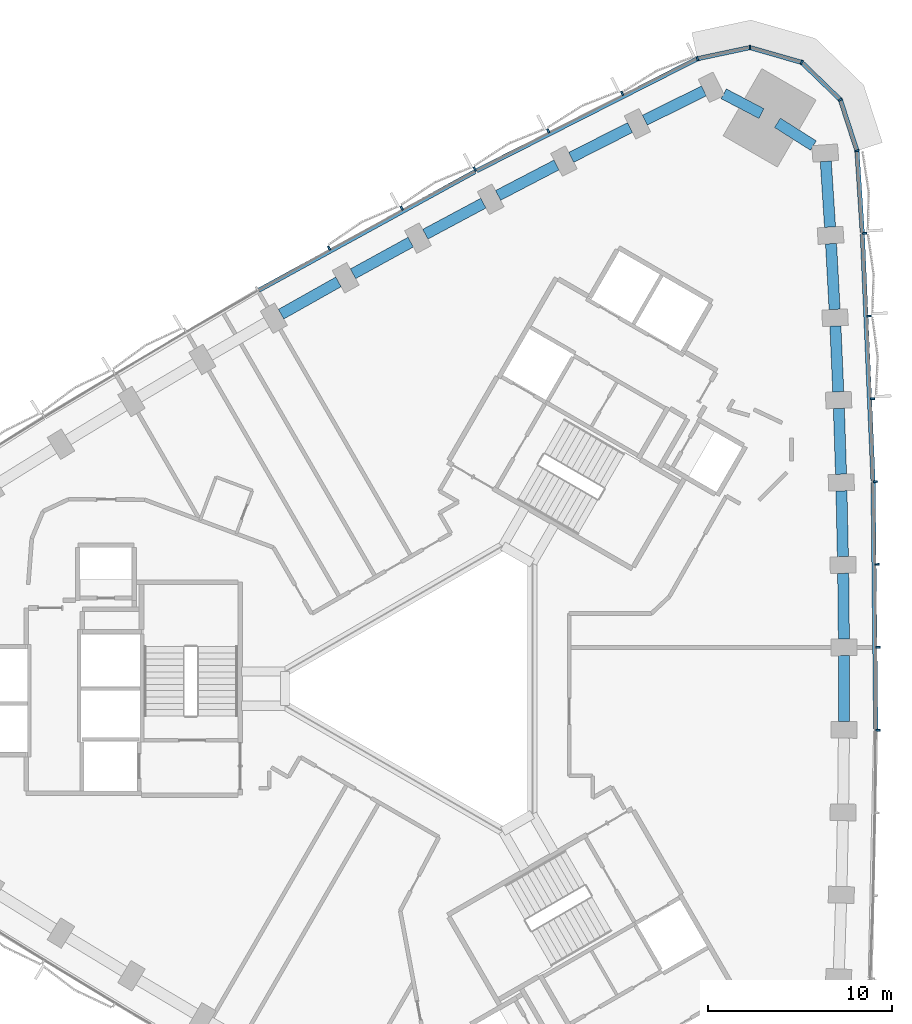
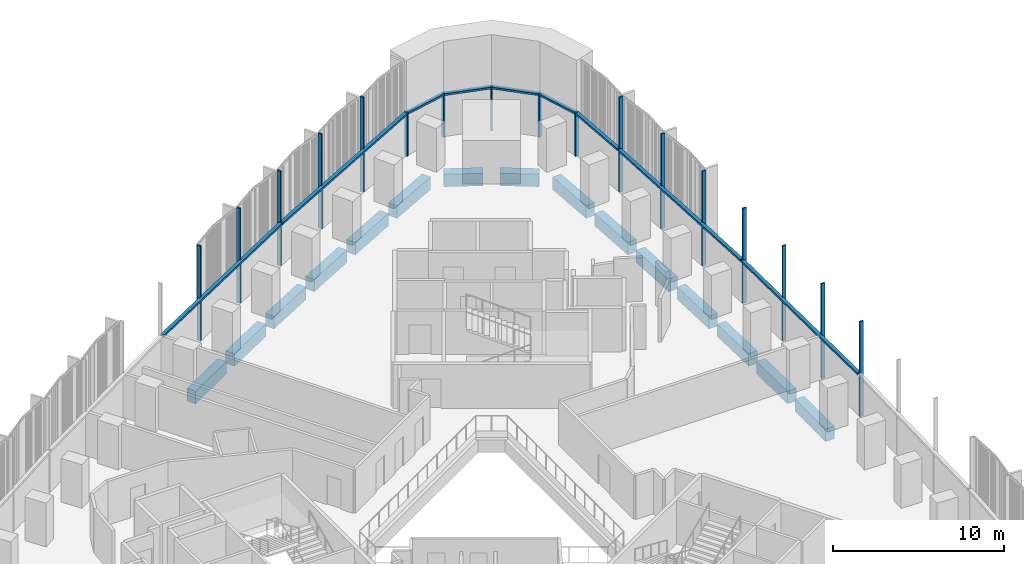
# One storey, part 5 of 15: 26 members, 15 beams, 2 elements without a shape of their own.
"""IFC4 building model written with IfcOpenShell, lengths in metres."""

from ifc_helpers import new_model, si_unit, direction, frame, origin, origin_2d, place, context, subcontext, project, spatial, rectangle, extrude, material, material_profile, profile_set, type_object, element, aggregate, save


model = new_model("IFC4")

# Units and contexts
model_context = context("Model", 3, precision=1e-05, world=origin(), true_north=direction((0.0, 1.0)))
body_context = subcontext(model_context, "Body", "Model", "MODEL_VIEW")
ifc_project = project(units=[si_unit("LENGTHUNIT", "METRE"), si_unit("AREAUNIT", "SQUARE_METRE"), si_unit("VOLUMEUNIT", "CUBIC_METRE"), si_unit("PLANEANGLEUNIT", "RADIAN"), si_unit("MASSUNIT", "GRAM", prefix="KILO")], contexts=[model_context])

# Site, building, storey
site_placement = place(None, origin())
site = spatial("IfcSite", under=ifc_project, at=site_placement, CompositionType="ELEMENT")
building_placement = place(site_placement, origin())
building = spatial("IfcBuilding", under=site, at=building_placement, Name="Tamra Quay Hotel Tower", CompositionType="ELEMENT")
storey_placement = place(building_placement, frame((0.0, 0.0, 67.39990234375)))
storey = spatial("IfcBuildingStorey", under=building, at=storey_placement, Name="L15", CompositionType="ELEMENT", Elevation=67.39990234375)

# Curtain wall, members
ifc_material_1 = material(Name="Aluminium 6063 anodised dark grey", Category="aluminium")
curtain_wall_type_1 = type_object("IfcCurtainWallType", Name="CW1 CURTAIN WALL", PredefinedType="NOTDEFINED", material=ifc_material_1)
curtain_wall_1_placement = place(storey_placement, origin())
curtain_wall_1 = element("IfcCurtainWall", 1, at=curtain_wall_1_placement, inside=storey, type_object=curtain_wall_type_1, Name="CW1 east face L15", PredefinedType="NOTDEFINED")
ifc_material_profile_1 = material_profile(ifc_material_1, rectangle(XDim=0.239990234375, YDim=0.10009765625, at=origin_2d()), Name="MULLION 100X240")
ifc_profile_set_1 = profile_set([ifc_material_profile_1], Name="Aluminium 6063 anodised dark grey")
member_type_1 = type_object("IfcMemberType", Name="MULLION CW1 Z1", PredefinedType="MULLION", material=ifc_profile_set_1)
member_1_placement = place(storey_placement, frame((23.73828125, -2.2451171875, 0.0), z_axis=(0.0, 0.0, 1.0), x_axis=(0.99998532114, -0.005418256626, 0.0)))
member_1 = element("IfcMember", 2, at=member_1_placement, type_object=member_type_1, Name="CW1 mullion L15.E.7", PredefinedType="MULLION", context=body_context, shape_type="SweptSolid", body=[
    extrude(rectangle(XDim=0.239990234375, YDim=0.10009765625, at=origin_2d()), origin(), (0.0, 0.0, 1.0), 6.800048828125),
])
member_2_placement = place(storey_placement, frame((23.73828125, 2.2451171875, 0.0), z_axis=(0.0, 0.0, 1.0), x_axis=(0.99998532114, 0.005418256626, 0.0)))
member_2 = element("IfcMember", 3, at=member_2_placement, type_object=member_type_1, Name="CW1 mullion L15.E.8", PredefinedType="MULLION", context=body_context, shape_type="SweptSolid", body=[
    extrude(rectangle(XDim=0.239990234375, YDim=0.10009765625, at=origin_2d()), origin(), (0.0, 0.0, 1.0), 6.800048828125),
])
member_3_placement = place(storey_placement, frame((23.689697265625, 6.73486328125, 0.0), z_axis=(0.0, 0.0, 1.0), x_axis=(0.999868004854, 0.016247241904, 0.0)))
member_3 = element("IfcMember", 4, at=member_3_placement, type_object=member_type_1, Name="CW1 mullion L15.E.9", PredefinedType="MULLION", context=body_context, shape_type="SweptSolid", body=[
    extrude(rectangle(XDim=0.239990234375, YDim=0.10009765625, at=origin_2d()), origin(), (0.0, 0.0, 1.0), 6.800048828125),
])
member_4_placement = place(storey_placement, frame((23.59228515625, 11.224609375, 0.0), z_axis=(0.0, 0.0, 1.0), x_axis=(0.999633633589, 0.027066558645, 0.0)))
member_4 = element("IfcMember", 5, at=member_4_placement, type_object=member_type_1, Name="CW1 mullion L15.E.10", PredefinedType="MULLION", context=body_context, shape_type="SweptSolid", body=[
    extrude(rectangle(XDim=0.239990234375, YDim=0.10009765625, at=origin_2d()), origin(), (0.0, 0.0, 1.0), 6.800048828125),
])
member_5_placement = place(storey_placement, frame((23.446533203125, 15.71240234375, 0.0), z_axis=(0.0, 0.0, 1.0), x_axis=(0.999282264248, 0.037880817816, 0.0)))
member_5 = element("IfcMember", 6, at=member_5_placement, type_object=member_type_1, Name="CW1 mullion L15.E.11", PredefinedType="MULLION", context=body_context, shape_type="SweptSolid", body=[
    extrude(rectangle(XDim=0.239990234375, YDim=0.10009765625, at=origin_2d()), origin(), (0.0, 0.0, 1.0), 6.800048828125),
])
member_6_placement = place(storey_placement, frame((23.252197265625, 20.1982421875, 0.0), z_axis=(0.0, 0.0, 1.0), x_axis=(0.998814683341, 0.048674719753, 0.0)))
member_6 = element("IfcMember", 7, at=member_6_placement, type_object=member_type_1, Name="CW1 mullion L15.E.12", PredefinedType="MULLION", context=body_context, shape_type="SweptSolid", body=[
    extrude(rectangle(XDim=0.239990234375, YDim=0.10009765625, at=origin_2d()), origin(), (0.0, 0.0, 1.0), 6.800048828125),
])
member_7_placement = place(storey_placement, frame((23.009521484375, 24.682373046875, 0.0), z_axis=(0.0, 0.0, 1.0), x_axis=(0.998231966976, 0.05943854058, 0.0)))
member_7 = element("IfcMember", 8, at=member_7_placement, type_object=member_type_1, Name="CW1 mullion L15.E.13", PredefinedType="MULLION", context=body_context, shape_type="SweptSolid", body=[
    extrude(rectangle(XDim=0.239990234375, YDim=0.10009765625, at=origin_2d()), origin(), (0.0, 0.0, 1.0), 6.800048828125),
])
member_8_placement = place(storey_placement, frame((22.5986328125, 29.154052734375, 0.0), z_axis=(0.0, 0.0, 1.0), x_axis=(0.982094520957, 0.188388831692, 0.0)))
member_8 = element("IfcMember", 9, at=member_8_placement, type_object=member_type_1, Name="CW1 mullion L15.E.14", PredefinedType="MULLION", context=body_context, shape_type="SweptSolid", body=[
    extrude(rectangle(XDim=0.239990234375, YDim=0.10009765625, at=origin_2d()), origin(), (0.0, 0.0, 1.0), 3.125),
])
member_9_placement = place(storey_placement, frame((21.697998046875, 31.926025390625, 0.0), z_axis=(0.0, 0.0, 1.0), x_axis=(0.848039345356, 0.529933268183, 0.0)))
member_9 = element("IfcMember", 10, at=member_9_placement, type_object=member_type_1, Name="CW1 mullion L15.E.15", PredefinedType="MULLION", context=body_context, shape_type="SweptSolid", body=[
    extrude(rectangle(XDim=0.239990234375, YDim=0.10009765625, at=origin_2d()), origin(), (0.0, 0.0, 1.0), 3.125),
])
member_10_placement = place(storey_placement, frame((19.6015625, 33.95068359375, 0.0), z_axis=(0.0, 0.0, 1.0), x_axis=(0.5, 0.866025403784, 0.0)))
member_10 = element("IfcMember", 11, at=member_10_placement, type_object=member_type_1, Name="CW1 mullion L15.E.16", PredefinedType="MULLION", context=body_context, shape_type="SweptSolid", body=[
    extrude(rectangle(XDim=0.239990234375, YDim=0.10009765625, at=origin_2d()), origin(), (0.0, 0.0, 1.0), 3.125),
])
member_11_placement = place(storey_placement, frame((16.7998046875, 34.754150390625, 0.0), z_axis=(0.0, 0.0, 1.0), x_axis=(0.034915999879, 0.999390250579, 0.0)))
member_11 = element("IfcMember", 12, at=member_11_placement, type_object=member_type_1, Name="CW1 mullion L15.E.17", PredefinedType="MULLION", context=body_context, shape_type="SweptSolid", body=[
    extrude(rectangle(XDim=0.239990234375, YDim=0.10009765625, at=origin_2d()), origin(), (0.0, 0.0, 1.0), 3.125),
])

curtain_wall_type_2 = type_object("IfcCurtainWallType", Name="CW2 CURTAIN WALL", PredefinedType="NOTDEFINED", material=ifc_material_1)
curtain_wall_2_placement = place(storey_placement, origin())
curtain_wall_2 = element("IfcCurtainWall", 13, at=curtain_wall_2_placement, inside=storey, type_object=curtain_wall_type_2, Name="CW2 north-west face L15", PredefinedType="NOTDEFINED")
ifc_material_profile_2 = material_profile(ifc_material_1, rectangle(XDim=0.239990234375, YDim=0.10009765625, at=origin_2d()), Name="MULLION 100X240")
ifc_profile_set_2 = profile_set([ifc_material_profile_2], Name="Aluminium 6063 anodised dark grey")
member_type_2 = type_object("IfcMemberType", Name="MULLION CW2 Z1", PredefinedType="MULLION", material=ifc_profile_set_2)
member_12_placement = place(storey_placement, frame((13.948974609375, 34.148193359375, 0.0), z_axis=(0.0, 0.0, 1.0), x_axis=(-0.327897746444, 0.944713219912, 0.0)))
member_12 = element("IfcMember", 14, at=member_12_placement, type_object=member_type_2, Name="CW2 mullion L15.NW.1", PredefinedType="MULLION", context=body_context, shape_type="SweptSolid", body=[
    extrude(rectangle(XDim=0.239990234375, YDim=0.10009765625, at=origin_2d()), origin(), (0.0, 0.0, 1.0), 3.125),
])
member_13_placement = place(storey_placement, frame((9.870849609375, 32.26806640625, 0.0), z_axis=(0.0, 0.0, 1.0), x_axis=(-0.447640697382, 0.894213512561, 0.0)))
member_13 = element("IfcMember", 15, at=member_13_placement, type_object=member_type_2, Name="CW2 mullion L15.NW.2", PredefinedType="MULLION", context=body_context, shape_type="SweptSolid", body=[
    extrude(rectangle(XDim=0.239990234375, YDim=0.10009765625, at=origin_2d()), origin(), (0.0, 0.0, 1.0), 6.800048828125),
])
member_14_placement = place(storey_placement, frame((5.865966796875, 30.236083984375, 0.0), z_axis=(0.0, 0.0, 1.0), x_axis=(-0.457253797843, 0.889336249322, 0.0)))
member_14 = element("IfcMember", 16, at=member_14_placement, type_object=member_type_2, Name="CW2 mullion L15.NW.3", PredefinedType="MULLION", context=body_context, shape_type="SweptSolid", body=[
    extrude(rectangle(XDim=0.239990234375, YDim=0.10009765625, at=origin_2d()), origin(), (0.0, 0.0, 1.0), 6.800048828125),
])
member_15_placement = place(storey_placement, frame((1.884033203125, 28.16162109375, 0.0), z_axis=(0.0, 0.0, 1.0), x_axis=(-0.46683538158, 0.884344235298, 0.0)))
member_15 = element("IfcMember", 17, at=member_15_placement, type_object=member_type_2, Name="CW2 mullion L15.NW.4", PredefinedType="MULLION", context=body_context, shape_type="SweptSolid", body=[
    extrude(rectangle(XDim=0.239990234375, YDim=0.10009765625, at=origin_2d()), origin(), (0.0, 0.0, 1.0), 6.800048828125),
])
member_16_placement = place(storey_placement, frame((-2.075439453125, 26.0439453125, 0.0), z_axis=(0.0, 0.0, 1.0), x_axis=(-0.476376489415, 0.879241400488, 0.0)))
member_16 = element("IfcMember", 18, at=member_16_placement, type_object=member_type_2, Name="CW2 mullion L15.NW.5", PredefinedType="MULLION", context=body_context, shape_type="SweptSolid", body=[
    extrude(rectangle(XDim=0.239990234375, YDim=0.10009765625, at=origin_2d()), origin(), (0.0, 0.0, 1.0), 6.800048828125),
])
member_17_placement = place(storey_placement, frame((-6.01220703125, 23.88330078125, 0.0), z_axis=(0.0, 0.0, 1.0), x_axis=(-0.485863478197, 0.874034713587, 0.0)))
member_17 = element("IfcMember", 19, at=member_17_placement, type_object=member_type_2, Name="CW2 mullion L15.NW.6", PredefinedType="MULLION", context=body_context, shape_type="SweptSolid", body=[
    extrude(rectangle(XDim=0.239990234375, YDim=0.10009765625, at=origin_2d()), origin(), (0.0, 0.0, 1.0), 6.800048828125),
])

# Beams
ifc_material_2 = material(Name="Concrete M60", Category="concrete")
ifc_material_profile_3 = material_profile(ifc_material_2, rectangle(XDim=0.60009765625, YDim=0.89990234375, at=origin_2d()), Name="SPANDREL BEAM RC 600x900")
ifc_profile_set_3 = profile_set([ifc_material_profile_3], Name="Concrete M60")
beam_type = type_object("IfcBeamType", Name="SPANDREL BEAM RC 600x900", PredefinedType="SPANDREL", material=ifc_profile_set_3)
beam_1_placement = place(storey_placement, frame((21.894287109375, -1.785400390625, -0.9248046875), z_axis=(0.0, 1.0, 0.0), x_axis=(-1.0, 0.0, 0.0)))
element("IfcBeam", 20, at=beam_1_placement, inside=storey, type_object=beam_type, Name="BM-SP1-006-L15", PredefinedType="SPANDREL", context=body_context, shape_type="SweptSolid", body=[
    extrude(rectangle(XDim=0.60009765625, YDim=0.89990234375, at=origin_2d()), origin(), (0.0, 0.0, 1.0), 3.57080078125),
])
beam_2_placement = place(storey_placement, frame((21.889404296875, 2.685302734375, -0.9248046875), z_axis=(-0.010803527021, 0.999941640199, 0.0), x_axis=(-0.999941640199, -0.010803527021, 0.0)))
element("IfcBeam", 21, at=beam_2_placement, inside=storey, type_object=beam_type, Name="BM-SP1-007-L15", PredefinedType="SPANDREL", context=body_context, shape_type="SweptSolid", body=[
    extrude(rectangle(XDim=0.60009765625, YDim=0.89990234375, at=origin_2d()), origin(), (0.0, 0.0, 1.0), 3.570556640625),
])
beam_3_placement = place(storey_placement, frame((21.836181640625, 7.155517578125, -0.9248046875), z_axis=(-0.021679013576, 0.999764982569, 0.0), x_axis=(-0.999764982569, -0.021679013576, 0.0)))
element("IfcBeam", 22, at=beam_3_placement, inside=storey, type_object=beam_type, Name="BM-SP1-008-L15", PredefinedType="SPANDREL", context=body_context, shape_type="SweptSolid", body=[
    extrude(rectangle(XDim=0.60009765625, YDim=0.89990234375, at=origin_2d()), origin(), (0.0, 0.0, 1.0), 3.56982421875),
])
for number, where, z_axis, x_axis, name in (
    (23, (21.734619140625, 11.624267578125, -0.9248046875), (-0.032547568535, 0.999470187541, 0.0), (-0.999470187541, -0.032547568535, 0.0), "BM-SP1-009-L15"),
    (24, (21.58447265625, 16.09228515625, -0.9248046875), (-0.043282922957, 0.99906285517, 0.0), (-0.99906285517, -0.043282922957, 0.0), "BM-SP1-010-L15"),
):
    element("IfcBeam", number, at=place(storey_placement, frame(where, z_axis=z_axis, x_axis=x_axis)), inside=storey, type_object=beam_type, Name=name, PredefinedType="SPANDREL", context=body_context, shape_type="SweptSolid", body=[
        extrude(rectangle(XDim=0.60009765625, YDim=0.89990234375, at=origin_2d()), origin(), (0.0, 0.0, 1.0), 3.570556640625),
    ])
beam_4_placement = place(storey_placement, frame((21.385986328125, 20.558349609375, -0.9248046875), z_axis=(-0.054026860576, 0.998539482613, 0.0), x_axis=(-0.998539482613, -0.054026860576, 0.0)))
element("IfcBeam", 25, at=beam_4_placement, inside=storey, type_object=beam_type, Name="BM-SP1-011-L15", PredefinedType="SPANDREL", context=body_context, shape_type="SweptSolid", body=[
    extrude(rectangle(XDim=0.60009765625, YDim=0.89990234375, at=origin_2d()), origin(), (0.0, 0.0, 1.0), 3.56982421875),
])
beam_5_placement = place(storey_placement, frame((21.139404296875, 25.021484375, -0.9248046875), z_axis=(-0.064749077985, 0.99790157676, 0.0), x_axis=(-0.99790157676, -0.064749077985, 0.0)))
element("IfcBeam", 26, at=beam_5_placement, inside=storey, type_object=beam_type, Name="BM-SP1-012-L15", PredefinedType="SPANDREL", context=body_context, shape_type="SweptSolid", body=[
    extrude(rectangle(XDim=0.60009765625, YDim=0.89990234375, at=origin_2d()), origin(), (0.0, 0.0, 1.0), 3.57080078125),
])
beam_6_placement = place(storey_placement, frame((20.2373046875, 29.440185546875, -0.9248046875), z_axis=(-0.844978382684, 0.53480046073, 0.0), x_axis=(-0.53480046073, -0.844978382684, 0.0)))
element("IfcBeam", 27, at=beam_6_placement, inside=storey, type_object=beam_type, Name="BM-SP1-013-L15", PredefinedType="SPANDREL", context=body_context, shape_type="SweptSolid", body=[
    extrude(rectangle(XDim=0.60009765625, YDim=0.89990234375, at=origin_2d()), origin(), (0.0, 0.0, 1.0), 2.30859375),
])
beam_7_placement = place(storey_placement, frame((17.421630859375, 31.17431640625, -0.9248046875), z_axis=(-0.885674154565, 0.464307324879, 0.0), x_axis=(-0.464307324879, -0.885674154565, 0.0)))
element("IfcBeam", 28, at=beam_7_placement, inside=storey, type_object=beam_type, Name="BM-SP1-014-L15", PredefinedType="SPANDREL", context=body_context, shape_type="SweptSolid", body=[
    extrude(rectangle(XDim=0.60009765625, YDim=0.89990234375, at=origin_2d()), origin(), (0.0, 0.0, 1.0), 2.308349609375),
])
beam_8_placement = place(storey_placement, frame((14.301025390625, 32.3994140625, -0.9248046875), z_axis=(-0.896604328032, -0.442832563113, 0.0), x_axis=(0.442832563113, -0.896604328032, 0.0)))
element("IfcBeam", 29, at=beam_8_placement, inside=storey, type_object=beam_type, Name="BM-SP1-015-L15", PredefinedType="SPANDREL", context=body_context, shape_type="SweptSolid", body=[
    extrude(rectangle(XDim=0.60009765625, YDim=0.89990234375, at=origin_2d()), origin(), (0.0, 0.0, 1.0), 3.57080078125),
])
beam_9_placement = place(storey_placement, frame((10.294677734375, 30.415283203125, -0.9248046875), z_axis=(-0.891785652583, -0.452458119439, 0.0), x_axis=(0.452458119439, -0.891785652583, 0.0)))
element("IfcBeam", 30, at=beam_9_placement, inside=storey, type_object=beam_type, Name="BM-SP1-016-L15", PredefinedType="SPANDREL", context=body_context, shape_type="SweptSolid", body=[
    extrude(rectangle(XDim=0.60009765625, YDim=0.89990234375, at=origin_2d()), origin(), (0.0, 0.0, 1.0), 3.56982421875),
])
beam_10_placement = place(storey_placement, frame((6.310546875, 28.388427734375, -0.9248046875), z_axis=(-0.886863886749, -0.462030785101, 0.0), x_axis=(0.462030785101, -0.886863886749, 0.0)))
element("IfcBeam", 31, at=beam_10_placement, inside=storey, type_object=beam_type, Name="BM-SP1-017-L15", PredefinedType="SPANDREL", context=body_context, shape_type="SweptSolid", body=[
    extrude(rectangle(XDim=0.60009765625, YDim=0.89990234375, at=origin_2d()), origin(), (0.0, 0.0, 1.0), 3.570556640625),
])
beam_11_placement = place(storey_placement, frame((2.34814453125, 26.318603515625, -0.9248046875), z_axis=(-0.881809110934, -0.471606501094, 0.0), x_axis=(0.471606501094, -0.881809110934, 0.0)))
element("IfcBeam", 32, at=beam_11_placement, inside=storey, type_object=beam_type, Name="BM-SP1-018-L15", PredefinedType="SPANDREL", context=body_context, shape_type="SweptSolid", body=[
    extrude(rectangle(XDim=0.60009765625, YDim=0.89990234375, at=origin_2d()), origin(), (0.0, 0.0, 1.0), 3.5703125),
])
beam_12_placement = place(storey_placement, frame((-1.591796875, 24.2060546875, -0.9248046875), z_axis=(-0.876617015828, -0.481188744216, 0.0), x_axis=(0.481188744216, -0.876617015828, 0.0)))
element("IfcBeam", 33, at=beam_12_placement, inside=storey, type_object=beam_type, Name="BM-SP1-019-L15", PredefinedType="SPANDREL", context=body_context, shape_type="SweptSolid", body=[
    extrude(rectangle(XDim=0.60009765625, YDim=0.89990234375, at=origin_2d()), origin(), (0.0, 0.0, 1.0), 3.56982421875),
])
beam_13_placement = place(storey_placement, frame((-5.5078125, 22.051025390625, -0.9248046875), z_axis=(-0.871431243693, -0.49051767299, 0.0), x_axis=(0.49051767299, -0.871431243693, 0.0)))
element("IfcBeam", 34, at=beam_13_placement, inside=storey, type_object=beam_type, Name="BM-SP1-020-L15", PredefinedType="SPANDREL", context=body_context, shape_type="SweptSolid", body=[
    extrude(rectangle(XDim=0.60009765625, YDim=0.89990234375, at=origin_2d()), origin(), (0.0, 0.0, 1.0), 3.570556640625),
])

# Member
ifc_material_profile_4 = material_profile(ifc_material_1, rectangle(XDim=0.239990234375, YDim=0.139892578125, at=origin_2d()), Name="TRANSOM 240X140")
ifc_profile_set_4 = profile_set([ifc_material_profile_4], Name="Aluminium 6063 anodised dark grey")
member_type_3 = type_object("IfcMemberType", Name="TRANSOM CW1 Z1", PredefinedType="USERDEFINED", material=ifc_profile_set_4)
member_18_placement = place(storey_placement, frame((23.618408203125, -2.1943359375, 3.05517578125), z_axis=(-0.010831206208, 0.999941340766, 0.0), x_axis=(-0.999941340766, -0.010831206208, 0.0)))
member_18 = element("IfcMember", 35, at=member_18_placement, type_object=member_type_3, Name="CW1 transom L15.E.7", ObjectType="TRANSOM", PredefinedType="USERDEFINED", context=body_context, shape_type="SweptSolid", body=[
    extrude(rectangle(XDim=0.239990234375, YDim=0.139892578125, at=origin_2d()), origin(), (0.0, 0.0, 1.0), 13.366455078125),
])

member_19_placement = place(storey_placement, frame((23.470703125, 11.271484375, 3.05517578125), z_axis=(-0.043269977555, 0.999063415926, 0.0), x_axis=(-0.999063415926, -0.043269977555, 0.0)))
member_19 = element("IfcMember", 36, at=member_19_placement, type_object=member_type_3, Name="CW1 transom L15.E.10", ObjectType="TRANSOM", PredefinedType="USERDEFINED", context=body_context, shape_type="SweptSolid", body=[
    extrude(rectangle(XDim=0.239990234375, YDim=0.139892578125, at=origin_2d()), origin(), (0.0, 0.0, 1.0), 13.366455078125),
])

member_20_placement = place(storey_placement, frame((22.886474609375, 24.725341796875, 3.05517578125), z_axis=(-0.064816582932, 0.997897194393, 0.0), x_axis=(-0.997897194393, -0.064816582932, 0.0)))
member_20 = element("IfcMember", 37, at=member_20_placement, type_object=member_type_3, Name="CW1 transom L15.E.13", ObjectType="TRANSOM", PredefinedType="USERDEFINED", context=body_context, shape_type="SweptSolid", body=[
    extrude(rectangle(XDim=0.239990234375, YDim=0.139892578125, at=origin_2d()), origin(), (0.0, 0.0, 1.0), 4.38818359375),
])

member_21_placement = place(storey_placement, frame((22.583251953125, 29.20166015625, 3.05517578125), z_axis=(-0.309062535631, 0.951041717839, 0.0), x_axis=(-0.951041717839, -0.309062535631, 0.0)))
member_21 = element("IfcMember", 38, at=member_21_placement, type_object=member_type_3, Name="CW1 transom L15.E.14", ObjectType="TRANSOM", PredefinedType="USERDEFINED", context=body_context, shape_type="SweptSolid", body=[
    extrude(rectangle(XDim=0.239990234375, YDim=0.139892578125, at=origin_2d()), origin(), (0.0, 0.0, 1.0), 2.814453125),
])

member_22_placement = place(storey_placement, frame((21.662109375, 31.960693359375, 3.05517578125), z_axis=(-0.71931626538, 0.694682740796, 0.0), x_axis=(-0.694682740796, -0.71931626538, 0.0)))
member_22 = element("IfcMember", 39, at=member_22_placement, type_object=member_type_3, Name="CW1 transom L15.E.15", ObjectType="TRANSOM", PredefinedType="USERDEFINED", context=body_context, shape_type="SweptSolid", body=[
    extrude(rectangle(XDim=0.239990234375, YDim=0.139892578125, at=origin_2d()), origin(), (0.0, 0.0, 1.0), 2.814697265625),
])

member_23_placement = place(storey_placement, frame((19.553466796875, 33.96435546875, 3.05517578125), z_axis=(-0.961255085045, 0.275660409698, 0.0), x_axis=(-0.275660409698, -0.961255085045, 0.0)))
member_23 = element("IfcMember", 40, at=member_23_placement, type_object=member_type_3, Name="CW1 transom L15.E.16", ObjectType="TRANSOM", PredefinedType="USERDEFINED", context=body_context, shape_type="SweptSolid", body=[
    extrude(rectangle(XDim=0.239990234375, YDim=0.139892578125, at=origin_2d()), origin(), (0.0, 0.0, 1.0), 2.814697265625),
])

member_24_placement = place(storey_placement, frame((16.7509765625, 34.74365234375, 3.05517578125), z_axis=(-0.97816524345, -0.207828671039, 0.0), x_axis=(0.207828671039, -0.97816524345, 0.0)))
member_24 = element("IfcMember", 41, at=member_24_placement, type_object=member_type_3, Name="CW1 transom L15.E.17", ObjectType="TRANSOM", PredefinedType="USERDEFINED", context=body_context, shape_type="SweptSolid", body=[
    extrude(rectangle(XDim=0.239990234375, YDim=0.139892578125, at=origin_2d()), origin(), (0.0, 0.0, 1.0), 2.814697265625),
])

aggregate(curtain_wall_1, [member_1, member_18, member_2, member_3, member_4, member_19, member_5, member_6, member_7, member_20, member_8, member_21, member_9, member_22, member_10, member_23, member_11, member_24])

ifc_material_profile_5 = material_profile(ifc_material_1, rectangle(XDim=0.239990234375, YDim=0.139892578125, at=origin_2d()), Name="TRANSOM 240X140")
ifc_profile_set_5 = profile_set([ifc_material_profile_5], Name="Aluminium 6063 anodised dark grey")
member_type_4 = type_object("IfcMemberType", Name="TRANSOM CW2 Z1", PredefinedType="USERDEFINED", material=ifc_profile_set_5)
member_25_placement = place(storey_placement, frame((13.904052734375, 34.1259765625, 3.05517578125), z_axis=(-0.891785159734, -0.452459090834, 0.0), x_axis=(0.452459090834, -0.891785159734, 0.0)))
member_25 = element("IfcMember", 42, at=member_25_placement, type_object=member_type_4, Name="CW2 transom L15.NW.1", ObjectType="TRANSOM", PredefinedType="USERDEFINED", context=body_context, shape_type="SweptSolid", body=[
    extrude(rectangle(XDim=0.239990234375, YDim=0.139892578125, at=origin_2d()), origin(), (0.0, 0.0, 1.0), 13.365966796875),
])

member_26_placement = place(storey_placement, frame((1.89599609375, 28.03173828125, 3.05517578125), z_axis=(-0.876657857412, -0.481114332606, 0.0), x_axis=(0.481114332606, -0.876657857412, 0.0)))
member_26 = element("IfcMember", 43, at=member_26_placement, type_object=member_type_4, Name="CW2 transom L15.NW.4", ObjectType="TRANSOM", PredefinedType="USERDEFINED", context=body_context, shape_type="SweptSolid", body=[
    extrude(rectangle(XDim=0.239990234375, YDim=0.139892578125, at=origin_2d()), origin(), (0.0, 0.0, 1.0), 13.36669921875),
])

aggregate(curtain_wall_2, [member_12, member_25, member_13, member_14, member_15, member_26, member_16, member_17])

save(model, "model.ifc")
